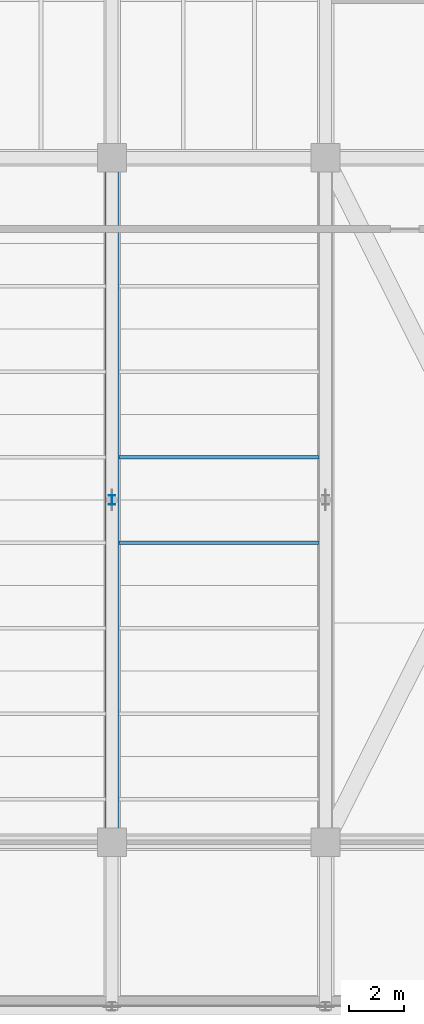
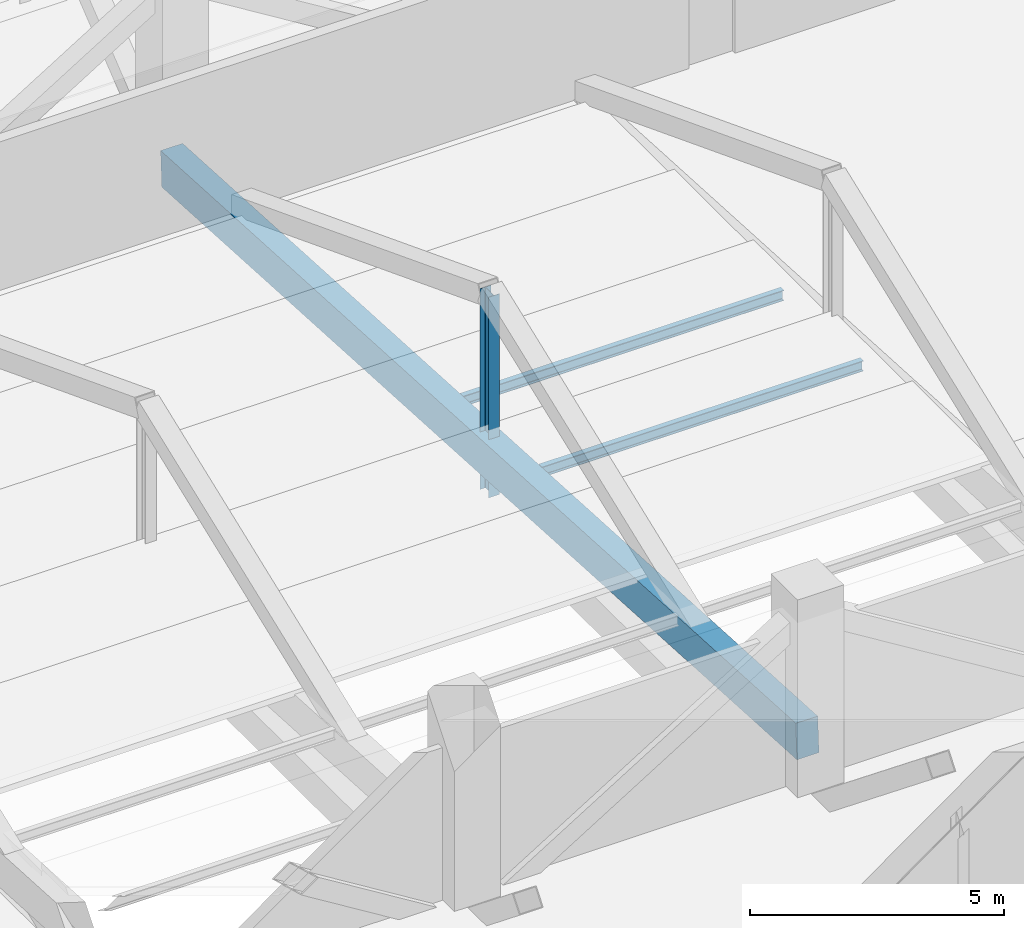
# One storey, part 48 of 127: 2 beams, 2 members.
"""IFC4 building model written with IfcOpenShell, lengths in metres."""

from ifc_helpers import new_model, si_unit, derived_unit, direction, frame, origin, origin_2d, place, context, subcontext, project, spatial, rectangle, i_section, extrude, material, material_profile, profile_set, type_object, element, save


model = new_model("IFC4")

# Units and contexts
model_context = context("Model", 3, precision=1e-05, world=origin(), true_north=direction((0.0, 1.0)))
body_context = subcontext(model_context, "Body", "Model", "MODEL_VIEW")
ifc_project = project(units=[si_unit("LENGTHUNIT", "METRE"), si_unit("AREAUNIT", "SQUARE_METRE"), si_unit("VOLUMEUNIT", "CUBIC_METRE"), si_unit("PLANEANGLEUNIT", "RADIAN"), si_unit("MASSUNIT", "GRAM", prefix="KILO"), derived_unit("THERMALTRANSMITTANCEUNIT", [(si_unit("POWERUNIT", "WATT"), 1), (si_unit("LENGTHUNIT", "METRE"), -2), (si_unit("THERMODYNAMICTEMPERATUREUNIT", "KELVIN"), -1)])], contexts=[model_context])

# Site, building, storey
site_placement = place(None, origin())
site = spatial("IfcSite", under=ifc_project, at=site_placement, CompositionType="ELEMENT")
building_placement = place(site_placement, origin())
building = spatial("IfcBuilding", under=site, at=building_placement, Name="Nallur Shell Playhouse", CompositionType="ELEMENT")
storey_placement = place(building_placement, frame((0.0, 0.0, 5.39990234375)))
storey = spatial("IfcBuildingStorey", under=building, at=storey_placement, Name="L02", CompositionType="ELEMENT", Elevation=5.39990234375)

# Beams
ifc_material_1 = material(Name="Steel E250", Category="steel")
ifc_material_profile_1 = material_profile(ifc_material_1, i_section(OverallWidth=0.125, OverallDepth=0.25, WebThickness=0.0068359375, FlangeThickness=0.012451171875, FilletRadius=0.012939453125, at=origin_2d()), Name="ISMB 250")
ifc_profile_set_1 = profile_set([ifc_material_profile_1], Name="Steel E250")
beam_type = type_object("IfcBeamType", Name="BM-JST-ISMB250", PredefinedType="JOIST", material=ifc_profile_set_1)
for number, where, z_axis, x_axis, name in (
    (1, (95.447998046875, 30.0625, 0.485107421875), (1.0, 0.0, 0.0), (0.0, 1.0, 0.0), "Seating tier step bearer STALLS row 4 (95.2-103.0)"),
    (2, (95.447998046875, 26.9375, 0.68505859375), (1.0, 0.0, 0.0), (0.0, 1.0, 0.0), "Seating tier step bearer STALLS row 5 (95.2-103.0)"),
):
    element("IfcBeam", number, at=place(storey_placement, frame(where, z_axis=z_axis, x_axis=x_axis)), inside=storey, type_object=beam_type, Name=name, PredefinedType="JOIST", context=body_context, shape_type="SweptSolid", body=[
        extrude(i_section(OverallWidth=0.125, OverallDepth=0.25, WebThickness=0.0068359375, FlangeThickness=0.012451171875, FilletRadius=0.012939453125, at=origin_2d()), origin(), (0.0, 0.0, 1.0), 7.303955078125),
    ])

# Members
ifc_material_2 = material(Name="Concrete M40", Category="concrete")
ifc_material_profile_2 = material_profile(ifc_material_2, rectangle(XDim=0.5, YDim=0.85009765625, at=origin_2d()), Name="RC 500x850")
ifc_profile_set_2 = profile_set([ifc_material_profile_2], Name="Concrete M40")
member_type_1 = type_object("IfcMemberType", Name="MB-RAKER-RC", PredefinedType="STRINGER", material=ifc_profile_set_2)
member_1_placement = place(storey_placement, frame((95.199951171875, 41.0, -0.414794921875), z_axis=(0.0, -0.998435896042, 0.055908510038), x_axis=(1.0, 0.0, 0.0)))
element("IfcMember", 3, at=member_1_placement, inside=storey, type_object=member_type_1, Name="Auditorium raker beam STALLS RAKER 3", PredefinedType="STRINGER", context=body_context, shape_type="SweptSolid", body=[
    extrude(rectangle(XDim=0.5, YDim=0.85009765625, at=origin_2d()), origin(), (0.0, 0.0, 1.0), 25.0390625),
])
ifc_material_3 = material(Name="Steel E350", Category="steel")
ifc_material_profile_3 = material_profile(ifc_material_3, i_section(OverallWidth=0.25, OverallDepth=0.35009765625, WebThickness=0.010009765625, FlangeThickness=0.01171875, FilletRadius=0.011962890625, at=origin_2d()), Name="ISHB 350")
ifc_profile_set_3 = profile_set([ifc_material_profile_3], Name="Steel E350")
member_type_2 = type_object("IfcMemberType", Name="MB-TT-POST", PredefinedType="POST", material=ifc_profile_set_3)
member_2_placement = place(storey_placement, frame((95.199951171875, 28.5, -0.679931640625), z_axis=(0.0, 0.0, 1.0), x_axis=(1.0, 0.0, 0.0)))
element("IfcMember", 4, at=member_2_placement, inside=storey, type_object=member_type_2, Name="Transfer truss TT-6 web post 3", PredefinedType="POST", context=body_context, shape_type="SweptSolid", body=[
    extrude(i_section(OverallWidth=0.25, OverallDepth=0.35009765625, WebThickness=0.010009765625, FlangeThickness=0.01171875, FilletRadius=0.011962890625, at=origin_2d()), origin(), (0.0, 0.0, 1.0), 4.820068359375),
])

save(model, "model.ifc")
